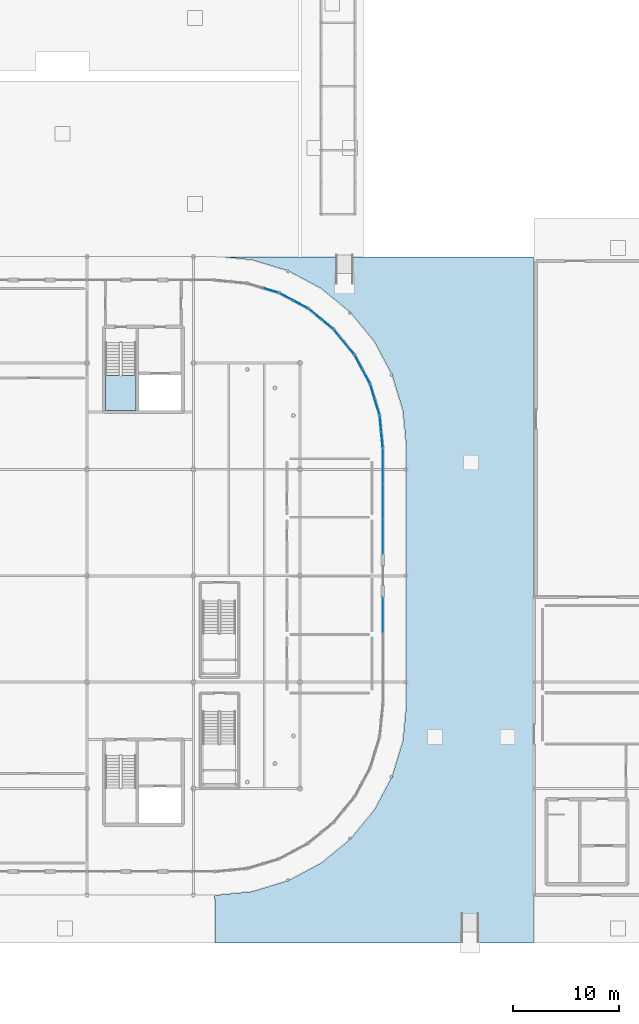
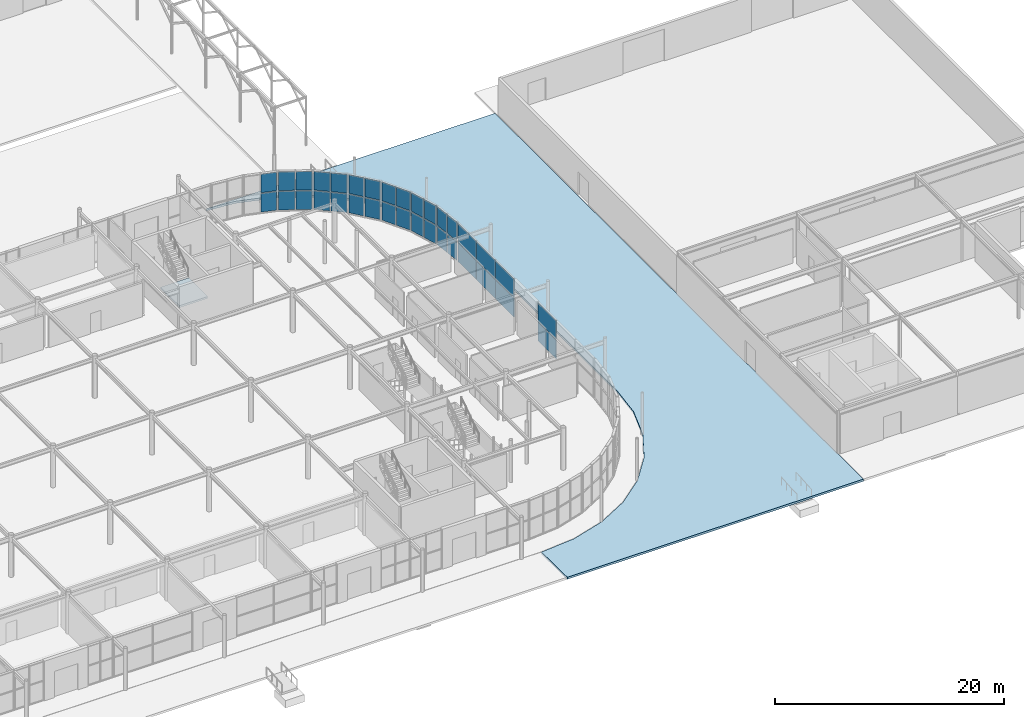
# One storey, part 80 of 119: 34 plates, 2 slabs, 10 elements without a shape of their own.
"""IFC4 building model written with IfcOpenShell, lengths in metres."""

from ifc_helpers import new_model, si_unit, derived_unit, direction, frame, origin, origin_2d_with_axis, place, context, subcontext, project, spatial, polyline, rectangle, outline, extrude, material, layer, layer_set, type_object, element, aggregate, save


model = new_model("IFC4")

# Units and contexts
model_context = context("Model", 3, precision=1e-05, world=origin(), true_north=direction((0.0, 1.0)))
body_context = subcontext(model_context, "Body", "Model", "MODEL_VIEW")
ifc_project = project(units=[si_unit("LENGTHUNIT", "METRE"), si_unit("AREAUNIT", "SQUARE_METRE"), si_unit("VOLUMEUNIT", "CUBIC_METRE"), si_unit("PLANEANGLEUNIT", "RADIAN"), si_unit("MASSUNIT", "GRAM", prefix="KILO"), derived_unit("THERMALTRANSMITTANCEUNIT", [(si_unit("POWERUNIT", "WATT"), 1), (si_unit("LENGTHUNIT", "METRE"), -2), (si_unit("THERMODYNAMICTEMPERATUREUNIT", "KELVIN"), -1)])], contexts=[model_context])

# Site, building, storey
site_placement = place(None, origin())
site = spatial("IfcSite", under=ifc_project, at=site_placement, CompositionType="ELEMENT")
building_placement = place(site_placement, origin())
building = spatial("IfcBuilding", under=site, at=building_placement, Name="Cinnabar Yard Market Hall", CompositionType="ELEMENT")
storey_placement = place(building_placement, origin())
storey = spatial("IfcBuildingStorey", under=building, at=storey_placement, Name="L00", CompositionType="ELEMENT", Elevation=0.0)

# Curtain wall, plates
ifc_material_1 = material(Name="Anodised bronze aluminium curved-chord facade", Category="aluminium")
curtain_wall_type_1 = type_object("IfcCurtainWallType", Name="CW-CWC031x42", PredefinedType="NOTDEFINED", material=ifc_material_1)
curtain_wall_1_placement = place(storey_placement, origin())
curtain_wall_1 = element("IfcCurtainWall", 1, at=curtain_wall_1_placement, inside=storey, type_object=curtain_wall_type_1, Name="Corner NE Chord 1 L00", PredefinedType="NOTDEFINED")
ifc_material_2 = material(Name="Low-E laminated glass", Category="glass")
ifc_layer_1 = layer(ifc_material_2, 0.031982421875)
ifc_layer_set_1 = layer_set([ifc_layer_1], Name="Low-E laminated glass")
plate_type_1 = type_object("IfcPlateType", Name="CWP-GP141x199", PredefinedType="CURTAIN_PANEL", material=ifc_layer_set_1)
plate_1_placement = place(storey_placement, frame((163.721923828125, 56.79296875, 0.08984375), z_axis=(0.0, 0.0, 1.0), x_axis=(-0.098020369342, 0.995184408637, 0.0)))
plate_1 = element("IfcPlate", 2, at=plate_1_placement, type_object=plate_type_1, Name="CWC031x42 panel 1.1", PredefinedType="CURTAIN_PANEL", context=body_context, shape_type="SweptSolid", body=[
    extrude(rectangle(XDim=1.41357421875, YDim=0.031982421875, at=origin_2d_with_axis()), origin(), (0.0, 0.0, 1.0), 1.985107421875),
])
plate_2_placement = place(storey_placement, frame((163.721923828125, 56.79296875, 2.1650390625), z_axis=(0.0, 0.0, 1.0), x_axis=(-0.098020369342, 0.995184408637, 0.0)))
plate_2 = element("IfcPlate", 3, at=plate_2_placement, type_object=plate_type_1, Name="CWC031x42 panel 1.2", PredefinedType="CURTAIN_PANEL", context=body_context, shape_type="SweptSolid", body=[
    extrude(rectangle(XDim=1.41357421875, YDim=0.031982421875, at=origin_2d_with_axis()), origin(), (0.0, 0.0, 1.0), 1.985107421875),
])
plate_3_placement = place(storey_placement, frame((163.574462890625, 58.289306640625, 0.08984375), z_axis=(0.0, 0.0, 1.0), x_axis=(-0.098020369342, 0.995184408637, 0.0)))
plate_3 = element("IfcPlate", 4, at=plate_3_placement, type_object=plate_type_1, Name="CWC031x42 panel 2.1", PredefinedType="CURTAIN_PANEL", context=body_context, shape_type="SweptSolid", body=[
    extrude(rectangle(XDim=1.41357421875, YDim=0.031982421875, at=origin_2d_with_axis()), origin(), (0.0, 0.0, 1.0), 1.985107421875),
])
plate_4_placement = place(storey_placement, frame((163.574462890625, 58.289306640625, 2.1650390625), z_axis=(0.0, 0.0, 1.0), x_axis=(-0.098020369342, 0.995184408637, 0.0)))
plate_4 = element("IfcPlate", 5, at=plate_4_placement, type_object=plate_type_1, Name="CWC031x42 panel 2.2", PredefinedType="CURTAIN_PANEL", context=body_context, shape_type="SweptSolid", body=[
    extrude(rectangle(XDim=1.41357421875, YDim=0.031982421875, at=origin_2d_with_axis()), origin(), (0.0, 0.0, 1.0), 1.985107421875),
])
aggregate(curtain_wall_1, [plate_1, plate_2, plate_3, plate_4])

curtain_wall_2_placement = place(storey_placement, origin())
curtain_wall_2 = element("IfcCurtainWall", 6, at=curtain_wall_2_placement, inside=storey, type_object=curtain_wall_type_1, Name="Corner NE Chord 2 L00", PredefinedType="NOTDEFINED")
plate_5_placement = place(storey_placement, frame((163.26513671875, 59.844970703125, 0.08984375), z_axis=(0.0, 0.0, 1.0), x_axis=(-0.290278891325, 0.956942090856, 0.0)))
plate_5 = element("IfcPlate", 7, at=plate_5_placement, type_object=plate_type_1, Name="CWC031x42 panel 1.1", PredefinedType="CURTAIN_PANEL", context=body_context, shape_type="SweptSolid", body=[
    extrude(rectangle(XDim=1.41357421875, YDim=0.031982421875, at=origin_2d_with_axis()), origin(), (0.0, 0.0, 1.0), 1.985107421875),
])
plate_6_placement = place(storey_placement, frame((163.26513671875, 59.844970703125, 2.1650390625), z_axis=(0.0, 0.0, 1.0), x_axis=(-0.290278891325, 0.956942090856, 0.0)))
plate_6 = element("IfcPlate", 8, at=plate_6_placement, type_object=plate_type_1, Name="CWC031x42 panel 1.2", PredefinedType="CURTAIN_PANEL", context=body_context, shape_type="SweptSolid", body=[
    extrude(rectangle(XDim=1.41357421875, YDim=0.031982421875, at=origin_2d_with_axis()), origin(), (0.0, 0.0, 1.0), 1.985107421875),
])
plate_7_placement = place(storey_placement, frame((162.82861328125, 61.283935546875, 0.08984375), z_axis=(0.0, 0.0, 1.0), x_axis=(-0.290278891325, 0.956942090856, 0.0)))
plate_7 = element("IfcPlate", 9, at=plate_7_placement, type_object=plate_type_1, Name="CWC031x42 panel 2.1", PredefinedType="CURTAIN_PANEL", context=body_context, shape_type="SweptSolid", body=[
    extrude(rectangle(XDim=1.41357421875, YDim=0.031982421875, at=origin_2d_with_axis()), origin(), (0.0, 0.0, 1.0), 1.985107421875),
])
plate_8_placement = place(storey_placement, frame((162.82861328125, 61.283935546875, 2.1650390625), z_axis=(0.0, 0.0, 1.0), x_axis=(-0.290278891325, 0.956942090856, 0.0)))
plate_8 = element("IfcPlate", 10, at=plate_8_placement, type_object=plate_type_1, Name="CWC031x42 panel 2.2", PredefinedType="CURTAIN_PANEL", context=body_context, shape_type="SweptSolid", body=[
    extrude(rectangle(XDim=1.41357421875, YDim=0.031982421875, at=origin_2d_with_axis()), origin(), (0.0, 0.0, 1.0), 1.985107421875),
])
aggregate(curtain_wall_2, [plate_5, plate_6, plate_7, plate_8])

curtain_wall_3_placement = place(storey_placement, origin())
curtain_wall_3 = element("IfcCurtainWall", 11, at=curtain_wall_3_placement, inside=storey, type_object=curtain_wall_type_1, Name="Corner NE Chord 3 L00", PredefinedType="NOTDEFINED")
plate_9_placement = place(storey_placement, frame((162.2216796875, 62.7490234375, 0.08984375), z_axis=(0.0, 0.0, 1.0), x_axis=(-0.471404114786, 0.881917320707, 0.0)))
plate_9 = element("IfcPlate", 12, at=plate_9_placement, type_object=plate_type_1, Name="CWC031x42 panel 1.1", PredefinedType="CURTAIN_PANEL", context=body_context, shape_type="SweptSolid", body=[
    extrude(rectangle(XDim=1.41357421875, YDim=0.031982421875, at=origin_2d_with_axis()), origin(), (0.0, 0.0, 1.0), 1.985107421875),
])
plate_10_placement = place(storey_placement, frame((162.2216796875, 62.7490234375, 2.1650390625), z_axis=(0.0, 0.0, 1.0), x_axis=(-0.471404114786, 0.881917320707, 0.0)))
plate_10 = element("IfcPlate", 13, at=plate_10_placement, type_object=plate_type_1, Name="CWC031x42 panel 1.2", PredefinedType="CURTAIN_PANEL", context=body_context, shape_type="SweptSolid", body=[
    extrude(rectangle(XDim=1.41357421875, YDim=0.031982421875, at=origin_2d_with_axis()), origin(), (0.0, 0.0, 1.0), 1.985107421875),
])
plate_11_placement = place(storey_placement, frame((161.512939453125, 64.0751953125, 0.08984375), z_axis=(0.0, 0.0, 1.0), x_axis=(-0.471404114786, 0.881917320707, 0.0)))
plate_11 = element("IfcPlate", 14, at=plate_11_placement, type_object=plate_type_1, Name="CWC031x42 panel 2.1", PredefinedType="CURTAIN_PANEL", context=body_context, shape_type="SweptSolid", body=[
    extrude(rectangle(XDim=1.41357421875, YDim=0.031982421875, at=origin_2d_with_axis()), origin(), (0.0, 0.0, 1.0), 1.985107421875),
])
plate_12_placement = place(storey_placement, frame((161.512939453125, 64.0751953125, 2.1650390625), z_axis=(0.0, 0.0, 1.0), x_axis=(-0.471404114786, 0.881917320707, 0.0)))
plate_12 = element("IfcPlate", 15, at=plate_12_placement, type_object=plate_type_1, Name="CWC031x42 panel 2.2", PredefinedType="CURTAIN_PANEL", context=body_context, shape_type="SweptSolid", body=[
    extrude(rectangle(XDim=1.41357421875, YDim=0.031982421875, at=origin_2d_with_axis()), origin(), (0.0, 0.0, 1.0), 1.985107421875),
])
aggregate(curtain_wall_3, [plate_9, plate_10, plate_11, plate_12])

curtain_wall_4_placement = place(storey_placement, origin())
curtain_wall_4 = element("IfcCurtainWall", 16, at=curtain_wall_4_placement, inside=storey, type_object=curtain_wall_type_1, Name="Corner NE Chord 4 L00", PredefinedType="NOTDEFINED")
plate_13_placement = place(storey_placement, frame((160.631591796875, 65.39404296875, 0.08984375), z_axis=(0.0, 0.0, 1.0), x_axis=(-0.634383400924, 0.773018564222, 0.0)))
plate_13 = element("IfcPlate", 17, at=plate_13_placement, type_object=plate_type_1, Name="CWC031x42 panel 1.1", PredefinedType="CURTAIN_PANEL", context=body_context, shape_type="SweptSolid", body=[
    extrude(rectangle(XDim=1.41357421875, YDim=0.031982421875, at=origin_2d_with_axis()), origin(), (0.0, 0.0, 1.0), 1.985107421875),
])
plate_14_placement = place(storey_placement, frame((160.631591796875, 65.39404296875, 2.1650390625), z_axis=(0.0, 0.0, 1.0), x_axis=(-0.634383400924, 0.773018564222, 0.0)))
plate_14 = element("IfcPlate", 18, at=plate_14_placement, type_object=plate_type_1, Name="CWC031x42 panel 1.2", PredefinedType="CURTAIN_PANEL", context=body_context, shape_type="SweptSolid", body=[
    extrude(rectangle(XDim=1.41357421875, YDim=0.031982421875, at=origin_2d_with_axis()), origin(), (0.0, 0.0, 1.0), 1.985107421875),
])
plate_15_placement = place(storey_placement, frame((159.677734375, 66.556396484375, 0.08984375), z_axis=(0.0, 0.0, 1.0), x_axis=(-0.634383400924, 0.773018564222, 0.0)))
plate_15 = element("IfcPlate", 19, at=plate_15_placement, type_object=plate_type_1, Name="CWC031x42 panel 2.1", PredefinedType="CURTAIN_PANEL", context=body_context, shape_type="SweptSolid", body=[
    extrude(rectangle(XDim=1.41357421875, YDim=0.031982421875, at=origin_2d_with_axis()), origin(), (0.0, 0.0, 1.0), 1.985107421875),
])
plate_16_placement = place(storey_placement, frame((159.677734375, 66.556396484375, 2.1650390625), z_axis=(0.0, 0.0, 1.0), x_axis=(-0.634383400924, 0.773018564222, 0.0)))
plate_16 = element("IfcPlate", 20, at=plate_16_placement, type_object=plate_type_1, Name="CWC031x42 panel 2.2", PredefinedType="CURTAIN_PANEL", context=body_context, shape_type="SweptSolid", body=[
    extrude(rectangle(XDim=1.41357421875, YDim=0.031982421875, at=origin_2d_with_axis()), origin(), (0.0, 0.0, 1.0), 1.985107421875),
])
aggregate(curtain_wall_4, [plate_13, plate_14, plate_15, plate_16])

curtain_wall_5_placement = place(storey_placement, origin())
curtain_wall_5 = element("IfcCurtainWall", 21, at=curtain_wall_5_placement, inside=storey, type_object=curtain_wall_type_1, Name="Corner NE Chord 5 L00", PredefinedType="NOTDEFINED")
plate_17_placement = place(storey_placement, frame((158.556396484375, 67.677734375, 0.08984375), z_axis=(0.0, 0.0, 1.0), x_axis=(-0.773018564222, 0.634383400924, 0.0)))
plate_17 = element("IfcPlate", 22, at=plate_17_placement, type_object=plate_type_1, Name="CWC031x42 panel 1.1", PredefinedType="CURTAIN_PANEL", context=body_context, shape_type="SweptSolid", body=[
    extrude(rectangle(XDim=1.41357421875, YDim=0.031982421875, at=origin_2d_with_axis()), origin(), (0.0, 0.0, 1.0), 1.985107421875),
])
plate_18_placement = place(storey_placement, frame((158.556396484375, 67.677734375, 2.1650390625), z_axis=(0.0, 0.0, 1.0), x_axis=(-0.773018564222, 0.634383400924, 0.0)))
plate_18 = element("IfcPlate", 23, at=plate_18_placement, type_object=plate_type_1, Name="CWC031x42 panel 1.2", PredefinedType="CURTAIN_PANEL", context=body_context, shape_type="SweptSolid", body=[
    extrude(rectangle(XDim=1.41357421875, YDim=0.031982421875, at=origin_2d_with_axis()), origin(), (0.0, 0.0, 1.0), 1.985107421875),
])
plate_19_placement = place(storey_placement, frame((157.39404296875, 68.631591796875, 0.08984375), z_axis=(0.0, 0.0, 1.0), x_axis=(-0.773018564222, 0.634383400924, 0.0)))
plate_19 = element("IfcPlate", 24, at=plate_19_placement, type_object=plate_type_1, Name="CWC031x42 panel 2.1", PredefinedType="CURTAIN_PANEL", context=body_context, shape_type="SweptSolid", body=[
    extrude(rectangle(XDim=1.41357421875, YDim=0.031982421875, at=origin_2d_with_axis()), origin(), (0.0, 0.0, 1.0), 1.985107421875),
])
plate_20_placement = place(storey_placement, frame((157.39404296875, 68.631591796875, 2.1650390625), z_axis=(0.0, 0.0, 1.0), x_axis=(-0.773018564222, 0.634383400924, 0.0)))
plate_20 = element("IfcPlate", 25, at=plate_20_placement, type_object=plate_type_1, Name="CWC031x42 panel 2.2", PredefinedType="CURTAIN_PANEL", context=body_context, shape_type="SweptSolid", body=[
    extrude(rectangle(XDim=1.41357421875, YDim=0.031982421875, at=origin_2d_with_axis()), origin(), (0.0, 0.0, 1.0), 1.985107421875),
])
aggregate(curtain_wall_5, [plate_17, plate_18, plate_19, plate_20])

curtain_wall_6_placement = place(storey_placement, origin())
curtain_wall_6 = element("IfcCurtainWall", 26, at=curtain_wall_6_placement, inside=storey, type_object=curtain_wall_type_1, Name="Corner NE Chord 6 L00", PredefinedType="NOTDEFINED")
plate_21_placement = place(storey_placement, frame((156.0751953125, 69.512939453125, 0.08984375), z_axis=(0.0, 0.0, 1.0), x_axis=(-0.881917320707, 0.471404114786, 0.0)))
plate_21 = element("IfcPlate", 27, at=plate_21_placement, type_object=plate_type_1, Name="CWC031x42 panel 1.1", PredefinedType="CURTAIN_PANEL", context=body_context, shape_type="SweptSolid", body=[
    extrude(rectangle(XDim=1.41357421875, YDim=0.031982421875, at=origin_2d_with_axis()), origin(), (0.0, 0.0, 1.0), 1.985107421875),
])
plate_22_placement = place(storey_placement, frame((156.0751953125, 69.512939453125, 2.1650390625), z_axis=(0.0, 0.0, 1.0), x_axis=(-0.881917320707, 0.471404114786, 0.0)))
plate_22 = element("IfcPlate", 28, at=plate_22_placement, type_object=plate_type_1, Name="CWC031x42 panel 1.2", PredefinedType="CURTAIN_PANEL", context=body_context, shape_type="SweptSolid", body=[
    extrude(rectangle(XDim=1.41357421875, YDim=0.031982421875, at=origin_2d_with_axis()), origin(), (0.0, 0.0, 1.0), 1.985107421875),
])
plate_23_placement = place(storey_placement, frame((154.7490234375, 70.2216796875, 0.08984375), z_axis=(0.0, 0.0, 1.0), x_axis=(-0.881917320707, 0.471404114786, 0.0)))
plate_23 = element("IfcPlate", 29, at=plate_23_placement, type_object=plate_type_1, Name="CWC031x42 panel 2.1", PredefinedType="CURTAIN_PANEL", context=body_context, shape_type="SweptSolid", body=[
    extrude(rectangle(XDim=1.41357421875, YDim=0.031982421875, at=origin_2d_with_axis()), origin(), (0.0, 0.0, 1.0), 1.985107421875),
])
plate_24_placement = place(storey_placement, frame((154.7490234375, 70.2216796875, 2.1650390625), z_axis=(0.0, 0.0, 1.0), x_axis=(-0.881917320707, 0.471404114786, 0.0)))
plate_24 = element("IfcPlate", 30, at=plate_24_placement, type_object=plate_type_1, Name="CWC031x42 panel 2.2", PredefinedType="CURTAIN_PANEL", context=body_context, shape_type="SweptSolid", body=[
    extrude(rectangle(XDim=1.41357421875, YDim=0.031982421875, at=origin_2d_with_axis()), origin(), (0.0, 0.0, 1.0), 1.985107421875),
])
aggregate(curtain_wall_6, [plate_21, plate_22, plate_23, plate_24])

curtain_wall_7_placement = place(storey_placement, origin())
curtain_wall_7 = element("IfcCurtainWall", 31, at=curtain_wall_7_placement, inside=storey, type_object=curtain_wall_type_1, Name="Corner NE Chord 7 L00", PredefinedType="NOTDEFINED")
plate_25_placement = place(storey_placement, frame((153.283935546875, 70.82861328125, 0.08984375), z_axis=(0.0, 0.0, 1.0), x_axis=(-0.956942090856, 0.290278891325, 0.0)))
plate_25 = element("IfcPlate", 32, at=plate_25_placement, type_object=plate_type_1, Name="CWC031x42 panel 1.1", PredefinedType="CURTAIN_PANEL", context=body_context, shape_type="SweptSolid", body=[
    extrude(rectangle(XDim=1.41357421875, YDim=0.031982421875, at=origin_2d_with_axis()), origin(), (0.0, 0.0, 1.0), 1.985107421875),
])
plate_26_placement = place(storey_placement, frame((153.283935546875, 70.82861328125, 2.1650390625), z_axis=(0.0, 0.0, 1.0), x_axis=(-0.956942090856, 0.290278891325, 0.0)))
plate_26 = element("IfcPlate", 33, at=plate_26_placement, type_object=plate_type_1, Name="CWC031x42 panel 1.2", PredefinedType="CURTAIN_PANEL", context=body_context, shape_type="SweptSolid", body=[
    extrude(rectangle(XDim=1.41357421875, YDim=0.031982421875, at=origin_2d_with_axis()), origin(), (0.0, 0.0, 1.0), 1.985107421875),
])
aggregate(curtain_wall_7, [plate_25, plate_26])

ifc_material_3 = material(Name="Anodised bronze aluminium and low-E glass", Category="aluminium")
curtain_wall_type_2 = type_object("IfcCurtainWallType", Name="CW-CWH100x42", PredefinedType="NOTDEFINED", material=ifc_material_3)
curtain_wall_8_placement = place(storey_placement, origin())
curtain_wall_8 = element("IfcCurtainWall", 34, at=curtain_wall_8_placement, inside=storey, type_object=curtain_wall_type_2, Name="Market Hall East Ground Glazing W1", PredefinedType="NOTDEFINED")
ifc_layer_2 = layer(ifc_material_2, 0.031982421875)
ifc_layer_set_2 = layer_set([ifc_layer_2], Name="Low-E laminated glass")
plate_type_2 = type_object("IfcPlateType", Name="CWP-GP321x200", PredefinedType="CURTAIN_PANEL", material=ifc_layer_set_2)
plate_27_placement = place(storey_placement, frame((163.800048828125, 40.313232421875, 0.080078125), z_axis=(0.0, 0.0, 1.0), x_axis=(0.0, 1.0, 0.0)))
plate_27 = element("IfcPlate", 35, at=plate_27_placement, type_object=plate_type_2, Name="CWH100x42 panel 3.1", PredefinedType="CURTAIN_PANEL", context=body_context, shape_type="SweptSolid", body=[
    extrude(rectangle(XDim=3.21337890625, YDim=0.031982421875, at=origin_2d_with_axis()), origin(), (0.0, 0.0, 1.0), 2.0),
])
plate_28_placement = place(storey_placement, frame((163.800048828125, 40.313232421875, 2.159912109375), z_axis=(0.0, 0.0, 1.0), x_axis=(0.0, 1.0, 0.0)))
plate_28 = element("IfcPlate", 36, at=plate_28_placement, type_object=plate_type_2, Name="CWH100x42 panel 3.2", PredefinedType="CURTAIN_PANEL", context=body_context, shape_type="SweptSolid", body=[
    extrude(rectangle(XDim=3.21337890625, YDim=0.031982421875, at=origin_2d_with_axis()), origin(), (0.0, 0.0, 1.0), 2.0),
])
aggregate(curtain_wall_8, [plate_27, plate_28])

curtain_wall_9_placement = place(storey_placement, origin())
curtain_wall_9 = element("IfcCurtainWall", 37, at=curtain_wall_9_placement, inside=storey, type_object=curtain_wall_type_2, Name="Market Hall East Ground Glazing W2", PredefinedType="NOTDEFINED")
plate_29_placement = place(storey_placement, frame((163.800048828125, 47.686767578125, 0.080078125), z_axis=(0.0, 0.0, 1.0), x_axis=(0.0, 1.0, 0.0)))
plate_29 = element("IfcPlate", 38, at=plate_29_placement, type_object=plate_type_2, Name="CWH100x42 panel 1.1", PredefinedType="CURTAIN_PANEL", context=body_context, shape_type="SweptSolid", body=[
    extrude(rectangle(XDim=3.21337890625, YDim=0.031982421875, at=origin_2d_with_axis()), origin(), (0.0, 0.0, 1.0), 2.0),
])
plate_30_placement = place(storey_placement, frame((163.800048828125, 47.686767578125, 2.159912109375), z_axis=(0.0, 0.0, 1.0), x_axis=(0.0, 1.0, 0.0)))
plate_30 = element("IfcPlate", 39, at=plate_30_placement, type_object=plate_type_2, Name="CWH100x42 panel 1.2", PredefinedType="CURTAIN_PANEL", context=body_context, shape_type="SweptSolid", body=[
    extrude(rectangle(XDim=3.21337890625, YDim=0.031982421875, at=origin_2d_with_axis()), origin(), (0.0, 0.0, 1.0), 2.0),
])
plate_31_placement = place(storey_placement, frame((163.800048828125, 54.313232421875, 0.080078125), z_axis=(0.0, 0.0, 1.0), x_axis=(0.0, 1.0, 0.0)))
plate_31 = element("IfcPlate", 40, at=plate_31_placement, type_object=plate_type_2, Name="CWH100x42 panel 3.1", PredefinedType="CURTAIN_PANEL", context=body_context, shape_type="SweptSolid", body=[
    extrude(rectangle(XDim=3.21337890625, YDim=0.031982421875, at=origin_2d_with_axis()), origin(), (0.0, 0.0, 1.0), 2.0),
])
plate_32_placement = place(storey_placement, frame((163.800048828125, 54.313232421875, 2.159912109375), z_axis=(0.0, 0.0, 1.0), x_axis=(0.0, 1.0, 0.0)))
plate_32 = element("IfcPlate", 41, at=plate_32_placement, type_object=plate_type_2, Name="CWH100x42 panel 3.2", PredefinedType="CURTAIN_PANEL", context=body_context, shape_type="SweptSolid", body=[
    extrude(rectangle(XDim=3.21337890625, YDim=0.031982421875, at=origin_2d_with_axis()), origin(), (0.0, 0.0, 1.0), 2.0),
])
ifc_layer_3 = layer(ifc_material_2, 0.031982421875)
ifc_layer_set_3 = layer_set([ifc_layer_3], Name="Low-E laminated glass")
plate_type_3 = type_object("IfcPlateType", Name="CWP-GP325x200", PredefinedType="CURTAIN_PANEL", material=ifc_layer_set_3)
plate_33_placement = place(storey_placement, frame((163.800048828125, 51.0, 0.080078125), z_axis=(0.0, 0.0, 1.0), x_axis=(0.0, 1.0, 0.0)))
plate_33 = element("IfcPlate", 42, at=plate_33_placement, type_object=plate_type_3, Name="CWH100x42 panel 2.1", PredefinedType="CURTAIN_PANEL", context=body_context, shape_type="SweptSolid", body=[
    extrude(rectangle(XDim=3.25341796875, YDim=0.031982421875, at=origin_2d_with_axis()), origin(), (0.0, 0.0, 1.0), 2.0),
])
plate_34_placement = place(storey_placement, frame((163.800048828125, 51.0, 2.159912109375), z_axis=(0.0, 0.0, 1.0), x_axis=(0.0, 1.0, 0.0)))
plate_34 = element("IfcPlate", 43, at=plate_34_placement, type_object=plate_type_3, Name="CWH100x42 panel 2.2", PredefinedType="CURTAIN_PANEL", context=body_context, shape_type="SweptSolid", body=[
    extrude(rectangle(XDim=3.25341796875, YDim=0.031982421875, at=origin_2d_with_axis()), origin(), (0.0, 0.0, 1.0), 2.0),
])
aggregate(curtain_wall_9, [plate_29, plate_30, plate_33, plate_34, plate_31, plate_32])

# Slab
ifc_material_4 = material(Name="Concrete 40 MPa", Category="concrete")
ifc_layer_4 = layer(ifc_material_4, 0.219970703125)
ifc_layer_set_4 = layer_set([ifc_layer_4], Name="Concrete 40 MPa")
slab_type_1 = type_object("IfcSlabType", Name="SL-APRON", PredefinedType="BASESLAB", material=ifc_layer_set_4)
slab_1_placement = place(storey_placement, frame((0.0, 0.0, -0.219970703125)))
element("IfcSlab", 44, at=slab_1_placement, inside=storey, type_object=slab_type_1, Name="East Service Link Apron", PredefinedType="BASESLAB", context=body_context, shape_type="SweptSolid", body=[
    extrude(outline(polyline([(148.0400390625, 9.5), (177.9599609375, 9.5), (177.9599609375, 73.9599609375), (148.0400390625, 73.9599609375), (148.0, 74.0400390625), (151.519287109375, 73.693359375), (154.903564453125, 72.666748046875), (158.0224609375, 70.999755859375), (160.756103515625, 68.756103515625), (162.999755859375, 66.0224609375), (164.666748046875, 62.903564453125), (165.693359375, 59.519287109375), (166.0400390625, 56.0), (166.0400390625, 32.0), (165.693359375, 28.480712890625), (164.666748046875, 25.096435546875), (162.999755859375, 21.9775390625), (160.756103515625, 19.243896484375), (158.0224609375, 17.000244140625), (154.903564453125, 15.333251953125), (151.519287109375, 14.306640625), (148.0, 13.9599609375), (148.0400390625, 9.5)])), origin(), (0.0, 0.0, 1.0), 0.219970703125),
])

# Stair, slab
stair_type = type_object("IfcStairType", Name="ST-CORE", PredefinedType="HALF_TURN_STAIR", material=ifc_material_4)
stair_placement = place(storey_placement, origin())
stair = element("IfcStair", 45, at=stair_placement, inside=storey, type_object=stair_type, Name="L00 Cold-Chain Goods Core Stair", PredefinedType="HALF_TURN_STAIR")
ifc_layer_5 = layer(ifc_material_4, 0.199951171875)
ifc_layer_set_5 = layer_set([ifc_layer_5], Name="Concrete 40 MPa")
slab_type_2 = type_object("IfcSlabType", Name="SL-LAND", PredefinedType="LANDING", material=ifc_layer_set_5)
slab_2_placement = place(storey_placement, frame((0.0, 0.0, 2.050048828125)))
slab_2 = element("IfcSlab", 46, at=slab_2_placement, type_object=slab_type_2, Name="ST-C7 landing 1", PredefinedType="LANDING", context=body_context, shape_type="SweptSolid", body=[
    extrude(outline(polyline([(137.739990234375, 62.830078125), (137.739990234375, 59.5400390625), (140.60009765625, 59.5400390625), (140.60009765625, 62.830078125), (137.739990234375, 62.830078125)])), origin(), (0.0, 0.0, 1.0), 0.199951171875),
])
aggregate(stair, [slab_2])

save(model, "model.ifc")
